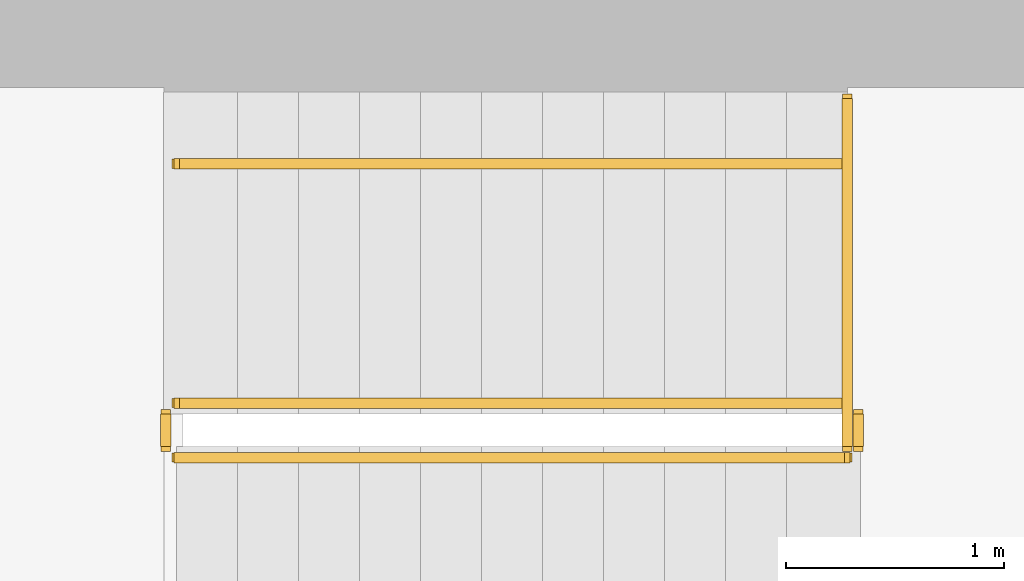
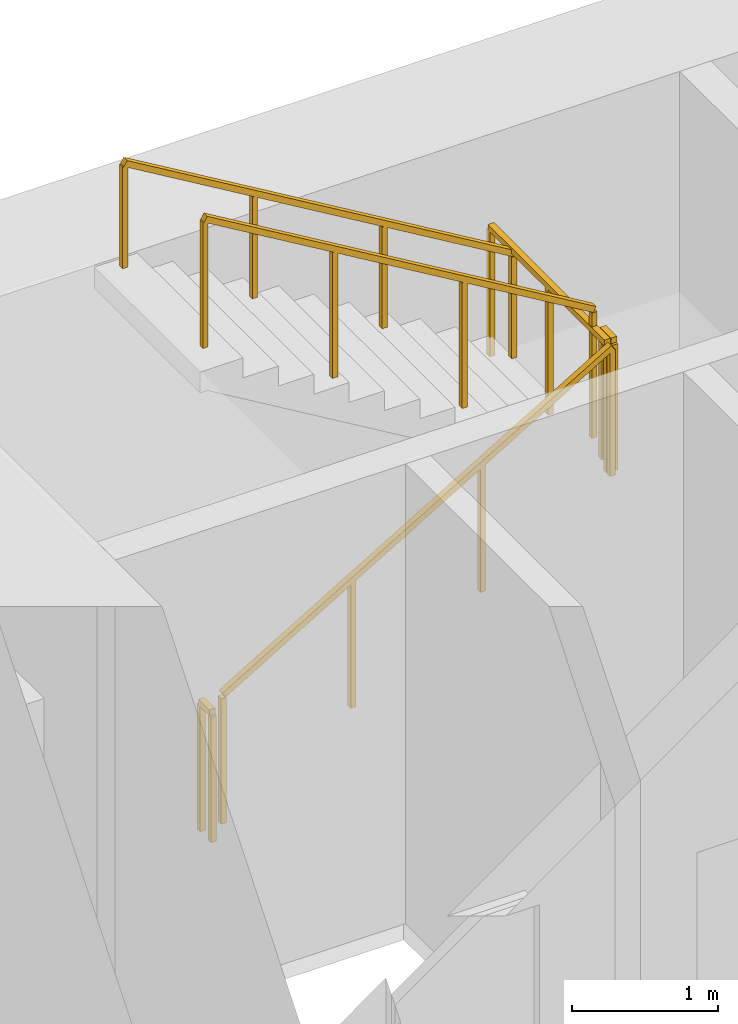
# One storey, part 16 of 17: 6 railings.
"""IFC4 building model written with IfcOpenShell, lengths in metres."""

import ifcopenshell
import ifcopenshell.guid

model = None  # the IFC model being written
_history = None  # IfcOwnerHistory: only IFC2X3 demands one
_inside = {}  # id of a spatial element -> (the spatial element, [elements in it])
_under = {}  # id of a project, library or spatial element -> (it, [spatial elements below it])
_declared = {}  # id of a project -> (the project, [libraries it declares])
_typed = {}  # id of a type object -> (the type object, [elements of that type])
_made_of = {}  # id of a material, layer set ... -> (it, [elements and type objects made of it])


def new_model(schema):
    """Start an empty IFC model of exactly this schema.

    Asked for "IFC4X3", IfcOpenShell would pick the latest addendum, in which some entities
    have other attributes; the version numbers below select the first issue.
    IFC2X3 requires an IfcOwnerHistory on every rooted entity: one is made here for all.
    """
    global model, _history
    if schema == "IFC4X3":
        model = ifcopenshell.file(schema_version=(4, 3, 0, 0))
    else:
        model = ifcopenshell.file(schema=schema)
    _inside.clear()
    _under.clear()
    _declared.clear()
    _typed.clear()
    _made_of.clear()
    _history = None
    if model.schema == "IFC2X3":
        org = make("IfcOrganization", Name="unknown")
        user = make(
            "IfcPersonAndOrganization",
            ThePerson=make("IfcPerson", FamilyName="unknown"),
            TheOrganization=org,
        )
        app = make(
            "IfcApplication",
            ApplicationDeveloper=org,
            Version="unknown",
            ApplicationFullName="unknown",
            ApplicationIdentifier="unknown",
        )
        _history = make(
            "IfcOwnerHistory",
            OwningUser=user,
            OwningApplication=app,
            ChangeAction="ADDED",
            CreationDate=0,
        )
    return model


def make(cls, **values):
    """One entity of the class cls with the attributes given. An attribute that is None is left unset."""
    return model.create_entity(
        cls, **{name: value for name, value in values.items() if value is not None}
    )


def rooted(cls, **values):
    """An entity with a GlobalId (a new one), such as an element, a storey or a relation."""
    return make(cls, GlobalId=ifcopenshell.guid.new(), OwnerHistory=_history, **values)


def si_unit(unit_type, name, prefix=None):
    """IfcSIUnit, for example si_unit("LENGTHUNIT", "METRE", prefix="MILLI")."""
    return make("IfcSIUnit", UnitType=unit_type, Prefix=prefix, Name=name)


def assignment(units):
    """IfcUnitAssignment: the units of a project."""
    return None if units is None else make("IfcUnitAssignment", Units=units)


def point(xyz):
    """IfcCartesianPoint."""
    return None if xyz is None else make("IfcCartesianPoint", Coordinates=xyz)


def direction(xyz):
    """IfcDirection."""
    return None if xyz is None else make("IfcDirection", DirectionRatios=xyz)


def frame(location, z_axis=None, x_axis=None):
    """IfcAxis2Placement3D, a coordinate frame: its origin and axes. An axis left out is left unset."""
    return make(
        "IfcAxis2Placement3D",
        Location=point(location),
        Axis=direction(z_axis),
        RefDirection=direction(x_axis),
    )


def frame_2d(location, x_axis=None):
    """IfcAxis2Placement2D, a coordinate frame in the plane: its origin and x axis."""
    return make(
        "IfcAxis2Placement2D", Location=point(location), RefDirection=direction(x_axis)
    )


def origin():
    """The frame at (0, 0, 0) with its axes left unset."""
    return frame((0.0, 0.0, 0.0))


def origin_2d():
    """The frame at (0, 0) in the plane with its x axis left unset."""
    return frame_2d((0.0, 0.0))


def place(relative_to, where):
    """IfcLocalPlacement: puts the frame where relative to a parent placement (None: the world)."""
    return make(
        "IfcLocalPlacement", PlacementRelTo=relative_to, RelativePlacement=where
    )


def context(
    kind, dimensions, precision=None, world=None, true_north=None, identifier=None
):
    """IfcGeometricRepresentationContext, for example the 3D "Model" context."""
    return make(
        "IfcGeometricRepresentationContext",
        ContextIdentifier=identifier,
        ContextType=kind,
        CoordinateSpaceDimension=dimensions,
        Precision=precision,
        WorldCoordinateSystem=world,
        TrueNorth=true_north,
    )


def subcontext(parent, identifier, kind, view, scale=None):
    """IfcGeometricRepresentationSubContext, for example "Body" below "Model"."""
    return make(
        "IfcGeometricRepresentationSubContext",
        ContextIdentifier=identifier,
        ContextType=kind,
        ParentContext=parent,
        TargetScale=scale,
        TargetView=view,
    )


def project(units=None, contexts=None):
    """IfcProject with its units and contexts."""
    return rooted(
        "IfcProject",
        Name="project",
        RepresentationContexts=contexts,
        UnitsInContext=assignment(units),
    )


def spatial(cls, under=None, at=None, **own):
    """A site, building, storey or space (cls), placed at a placement, below another one or the project."""
    s = rooted(cls, ObjectPlacement=at, **own)
    if under is not None:
        _under.setdefault(under.id(), (under, []))[1].append(s)
    return s


def profile(cls, at=None, kind="AREA", **sizes):
    """A parametric profile (cls). Its sizes go by their IFC names, for example OverallWidth=200.0."""
    return make(cls, ProfileType=kind, Position=at, **sizes)


def rectangle(**sizes):
    """IfcRectangleProfileDef."""
    return profile("IfcRectangleProfileDef", **sizes)


def extrude(swept, where, along, depth):
    """IfcExtrudedAreaSolid: the profile swept, set in the frame where, extruded along a direction by depth."""
    return make(
        "IfcExtrudedAreaSolid",
        SweptArea=swept,
        Position=where,
        ExtrudedDirection=direction(along),
        Depth=depth,
    )


def shape(context_of_items, identifier, shape_type, items):
    """IfcShapeRepresentation: the items that make up one representation, for example the "Body"."""
    return make(
        "IfcShapeRepresentation",
        ContextOfItems=context_of_items,
        RepresentationIdentifier=identifier,
        RepresentationType=shape_type,
        Items=items,
    )


def material(Name=None, Category=None):
    """IfcMaterial."""
    return make("IfcMaterial", Name=Name, Category=Category)


def made_of(thing, what):
    """Note that an element or type object is made of a material, layer set ...; save() writes the relation."""
    if what is not None:
        _made_of.setdefault(what.id(), (what, []))[1].append(thing)
    return thing


def type_object(cls, material=None, **own):
    """A type object (cls), such as IfcWallType, which elements share."""
    return made_of(rooted(cls, **own), material)


def element(
    cls,
    number,
    at=None,
    inside=None,
    cuts=None,
    type_object=None,
    material=None,
    context=None,
    identifier="Body",
    shape_type=None,
    held_by="IfcProductDefinitionShape",
    body=None,
    shapes=None,
    **own,
):
    """One element of the class cls, such as IfcWall. Its Tag is "e" and its number.

    at: its placement. inside: the storey or other place that contains it. cuts: it is an
    opening in that element (IfcRelVoidsElement). A single representation is given by context,
    identifier, shape_type and body (its items); several are given by shapes. held_by: the class
    of the entity that holds the representations. save() writes the other relations.
    """
    e = rooted(cls, Tag="e%d" % number, ObjectPlacement=at, **own)
    if body is not None:
        shapes = [shape(context, identifier, shape_type, body)]
    if shapes is not None:
        e.Representation = make(held_by, Representations=shapes)
    if inside is not None:
        _inside.setdefault(inside.id(), (inside, []))[1].append(e)
    if cuts is not None:
        rooted(
            "IfcRelVoidsElement", RelatingBuildingElement=cuts, RelatedOpeningElement=e
        )
    if type_object is not None:
        _typed.setdefault(type_object.id(), (type_object, []))[1].append(e)
    return made_of(e, material)


def aggregate(whole, parts):
    """IfcRelAggregates: a whole, such as a stair, and the parts it consists of."""
    return rooted("IfcRelAggregates", RelatingObject=whole, RelatedObjects=parts)


def save(model, path):
    """Write the relations noted so far, then the file.

    IfcRelAggregates (storeys below a building ...), IfcRelContainedInSpatialStructure (elements
    in a storey), IfcRelDefinesByType, IfcRelAssociatesMaterial and IfcRelDeclares: one each for
    every whole, place, type object, material and project.
    """
    for whole, parts in _under.values():
        aggregate(whole, parts)
    for where, things in _inside.values():
        rooted(
            "IfcRelContainedInSpatialStructure",
            RelatedElements=things,
            RelatingStructure=where,
        )
    for kind, things in _typed.values():
        rooted("IfcRelDefinesByType", RelatedObjects=things, RelatingType=kind)
    for what, things in _made_of.values():
        rooted("IfcRelAssociatesMaterial", RelatedObjects=things, RelatingMaterial=what)
    for by, libraries in _declared.values():
        rooted("IfcRelDeclares", RelatingContext=by, RelatedDefinitions=libraries)
    model.write(path)


model = new_model("IFC4")

# Units and contexts
model_context = context("Model", 3, precision=1e-05, world=origin(), true_north=direction((0.0, 1.0)))
body_context = subcontext(model_context, "Body", "Model", "MODEL_VIEW")
ifc_project = project(units=[si_unit("LENGTHUNIT", "METRE"), si_unit("AREAUNIT", "SQUARE_METRE"), si_unit("VOLUMEUNIT", "CUBIC_METRE"), si_unit("PLANEANGLEUNIT", "RADIAN"), si_unit("MASSUNIT", "GRAM", prefix="KILO")], contexts=[model_context])

# Site, building, storey
site_placement = place(None, origin())
site = spatial("IfcSite", under=ifc_project, at=site_placement, CompositionType="ELEMENT")
building_placement = place(site_placement, origin())
building = spatial("IfcBuilding", under=site, at=building_placement, Name="Sennacour Bend Tower", CompositionType="ELEMENT")
storey_placement = place(building_placement, frame((0.0, 0.0, 195.0)))
storey = spatial("IfcBuildingStorey", under=building, at=storey_placement, Name="L44", CompositionType="ELEMENT", Elevation=195.0)

# Railings
ifc_material = material(Name="Stainless steel", Category="steel")
railing_type_1 = type_object("IfcRailingType", Name="RL-GUARD-1100", PredefinedType="GUARDRAIL", material=ifc_material)
railing_1_placement = place(storey_placement, frame((56.699951171875, 19.85009765625, 0.166748046875)))
element("IfcRailing", 1, at=railing_1_placement, inside=storey, type_object=railing_type_1, Name="L44 SA2 stair guard 1", PredefinedType="GUARDRAIL", context=body_context, shape_type="SweptSolid", body=[
    extrude(rectangle(XDim=0.048095703125, YDim=0.048095703125, at=origin_2d()), frame((0.0, 0.0, 1.076171875), z_axis=(0.859308565015, 0.0, 0.511457515432), x_axis=(0.0, 1.0, 0.0)), (0.0, 0.0, 1.0), 3.58447265625),
    extrude(rectangle(XDim=0.0419921875, YDim=0.0419921875, at=origin_2d()), origin(), (0.0, 0.0, 1.0), 1.052001953125),
    extrude(rectangle(XDim=0.0419921875, YDim=0.0419921875, at=origin_2d()), frame((1.026611328125, 0.0, 0.611083984375)), (0.0, 0.0, 1.0), 1.052001953125),
    extrude(rectangle(XDim=0.0419921875, YDim=0.0419921875, at=origin_2d()), frame((2.053466796875, 0.0, 1.22216796875)), (0.0, 0.0, 1.0), 1.052001953125),
    extrude(rectangle(XDim=0.0419921875, YDim=0.0419921875, at=origin_2d()), frame((3.080078125, 0.0, 1.833251953125)), (0.0, 0.0, 1.0), 1.052001953125),
])
railing_2_placement = place(storey_placement, frame((59.830078125, 19.89990234375, 2.0)))
element("IfcRailing", 2, at=railing_2_placement, inside=storey, type_object=railing_type_1, Name="L44 SA2 stair guard 2", PredefinedType="GUARDRAIL", context=body_context, shape_type="SweptSolid", body=[
    extrude(rectangle(XDim=0.048095703125, YDim=0.048095703125, at=origin_2d()), frame((0.0, 0.0, 1.076171875), z_axis=(0.0, 1.0, 0.0), x_axis=(-1.0, 0.0, 0.0)), (0.0, 0.0, 1.0), 0.150146484375),
    extrude(rectangle(XDim=0.0419921875, YDim=0.0419921875, at=origin_2d()), origin(), (0.0, 0.0, 1.0), 1.052001953125),
    extrude(rectangle(XDim=0.0419921875, YDim=0.0419921875, at=origin_2d()), frame((0.0, 0.150146484375, 0.0)), (0.0, 0.0, 1.0), 1.052001953125),
])
railing_3_placement = place(storey_placement, frame((59.780029296875, 20.10009765625, 2.166748046875)))
element("IfcRailing", 3, at=railing_3_placement, inside=storey, type_object=railing_type_1, Name="L44 SA2 stair guard 4", PredefinedType="GUARDRAIL", context=body_context, shape_type="SweptSolid", body=[
    extrude(rectangle(XDim=0.048095703125, YDim=0.048095703125, at=origin_2d()), frame((0.0, 0.0, 1.076171875), z_axis=(-0.859308565015, 0.0, 0.511457515432), x_axis=(0.0, -1.0, 0.0)), (0.0, 0.0, 1.0), 3.58447265625),
    extrude(rectangle(XDim=0.0419921875, YDim=0.0419921875, at=origin_2d()), origin(), (0.0, 0.0, 1.0), 1.052001953125),
    extrude(rectangle(XDim=0.0419921875, YDim=0.0419921875, at=origin_2d()), frame((-1.026611328125, 0.0, 0.611083984375)), (0.0, 0.0, 1.0), 1.052001953125),
    extrude(rectangle(XDim=0.0419921875, YDim=0.0419921875, at=origin_2d()), frame((-2.053466796875, 0.0, 1.22216796875)), (0.0, 0.0, 1.0), 1.052001953125),
    extrude(rectangle(XDim=0.0419921875, YDim=0.0419921875, at=origin_2d()), frame((-3.080078125, 0.0, 1.833251953125)), (0.0, 0.0, 1.0), 1.052001953125),
])
railing_4_placement = place(storey_placement, frame((56.64990234375, 19.89990234375, 0.0)))
element("IfcRailing", 4, at=railing_4_placement, inside=storey, type_object=railing_type_1, Name="L44 SA2 stair guard 5", PredefinedType="GUARDRAIL", context=body_context, shape_type="SweptSolid", body=[
    extrude(rectangle(XDim=0.048095703125, YDim=0.048095703125, at=origin_2d()), frame((0.0, 0.0, 1.076171875), z_axis=(0.0, 1.0, 0.0), x_axis=(-1.0, 0.0, 0.0)), (0.0, 0.0, 1.0), 0.150146484375),
    extrude(rectangle(XDim=0.0419921875, YDim=0.0419921875, at=origin_2d()), origin(), (0.0, 0.0, 1.0), 1.052001953125),
    extrude(rectangle(XDim=0.0419921875, YDim=0.0419921875, at=origin_2d()), frame((0.0, 0.150146484375, 0.0)), (0.0, 0.0, 1.0), 1.052001953125),
])
railing_5_placement = place(storey_placement, frame((59.780029296875, 19.89990234375, 2.0)))
element("IfcRailing", 5, at=railing_5_placement, inside=storey, type_object=railing_type_1, Name="L44 SA2 landing edge guard 61", PredefinedType="GUARDRAIL", context=body_context, shape_type="SweptSolid", body=[
    extrude(rectangle(XDim=0.048095703125, YDim=0.048095703125, at=origin_2d()), frame((0.0, 0.0, 1.076171875), z_axis=(0.0, 1.0, 0.0), x_axis=(-1.0, 0.0, 0.0)), (0.0, 0.0, 1.0), 1.60009765625),
    extrude(rectangle(XDim=0.0419921875, YDim=0.0419921875, at=origin_2d()), origin(), (0.0, 0.0, 1.0), 1.052001953125),
    extrude(rectangle(XDim=0.0419921875, YDim=0.0419921875, at=origin_2d()), frame((0.0, 0.800048828125, 0.0)), (0.0, 0.0, 1.0), 1.052001953125),
    extrude(rectangle(XDim=0.0419921875, YDim=0.0419921875, at=origin_2d()), frame((0.0, 1.60009765625, 0.0)), (0.0, 0.0, 1.0), 1.052001953125),
])
railing_type_2 = type_object("IfcRailingType", Name="RL-HANDRAIL-900", PredefinedType="HANDRAIL", material=ifc_material)
railing_6_placement = place(storey_placement, frame((59.780029296875, 21.199951171875, 2.166748046875)))
element("IfcRailing", 6, at=railing_6_placement, inside=storey, type_object=railing_type_2, Name="L44 SA2 stair handrail 2", PredefinedType="HANDRAIL", context=body_context, shape_type="SweptSolid", body=[
    extrude(rectangle(XDim=0.048095703125, YDim=0.048095703125, at=origin_2d()), frame((0.0, 0.0, 0.8759765625), z_axis=(-0.859308565015, 0.0, 0.511457515432), x_axis=(0.0, -1.0, 0.0)), (0.0, 0.0, 1.0), 3.58447265625),
    extrude(rectangle(XDim=0.0419921875, YDim=0.0419921875, at=origin_2d()), origin(), (0.0, 0.0, 1.0), 0.851806640625),
    extrude(rectangle(XDim=0.0419921875, YDim=0.0419921875, at=origin_2d()), frame((-1.026611328125, 0.0, 0.611083984375)), (0.0, 0.0, 1.0), 0.851806640625),
    extrude(rectangle(XDim=0.0419921875, YDim=0.0419921875, at=origin_2d()), frame((-2.053466796875, 0.0, 1.22216796875)), (0.0, 0.0, 1.0), 0.851806640625),
    extrude(rectangle(XDim=0.0419921875, YDim=0.0419921875, at=origin_2d()), frame((-3.080078125, 0.0, 1.833251953125)), (0.0, 0.0, 1.0), 0.851806640625),
])

save(model, "model.ifc")
